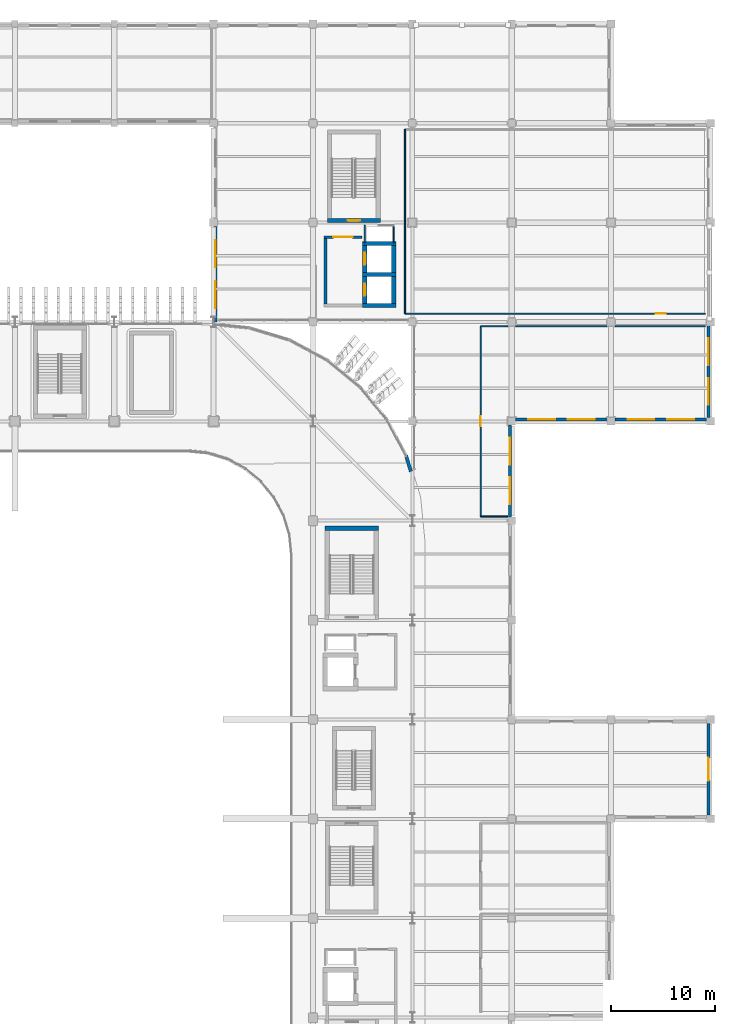
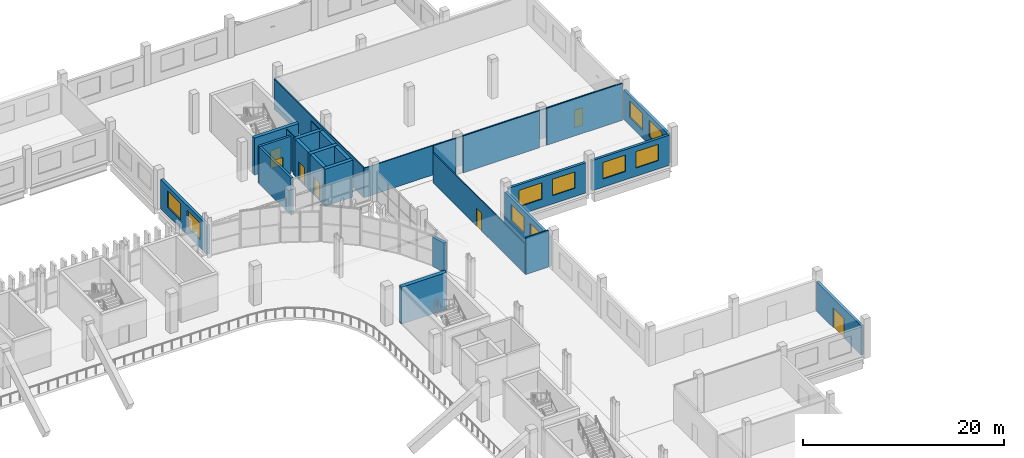
# One storey, part 57 of 100: 27 walls, 10 windows, 7 doors, 17 openings.
"""IFC4 building model written with IfcOpenShell, lengths in metres."""

from ifc_helpers import new_model, si_unit, direction, frame, frame_2d, origin, place, context, subcontext, project, spatial, rectangle, extrude, material, layer, layer_set, type_object, element, fill, save


model = new_model("IFC4")

# Units and contexts
model_context = context("Model", 3, precision=1e-05, world=origin(), true_north=direction((0.0, 1.0)))
body_context = subcontext(model_context, "Body", "Model", "MODEL_VIEW")
ifc_project = project(units=[si_unit("LENGTHUNIT", "METRE"), si_unit("AREAUNIT", "SQUARE_METRE"), si_unit("VOLUMEUNIT", "CUBIC_METRE"), si_unit("PLANEANGLEUNIT", "RADIAN"), si_unit("MASSUNIT", "GRAM", prefix="KILO")], contexts=[model_context])

# Site, building, storey
site_placement = place(None, origin())
site = spatial("IfcSite", under=ifc_project, at=site_placement, CompositionType="ELEMENT")
building_placement = place(site_placement, origin())
building = spatial("IfcBuilding", under=site, at=building_placement, Name="Caelomonte Colonnade Arena", CompositionType="ELEMENT")
storey_placement = place(building_placement, origin())
storey = spatial("IfcBuildingStorey", under=building, at=storey_placement, Name="L00", CompositionType="ELEMENT", Elevation=0.0)

# Wall, opening, door
ifc_material_1 = material(Name="Precast concrete C40/50", Category="concrete")
ifc_layer_1 = layer(ifc_material_1, 0.2900390625)
ifc_layer_set_1 = layer_set([ifc_layer_1], Name="Precast concrete C40/50")
wall_type_1 = type_object("IfcWallType", Name="ENV-WL-EXT29", PredefinedType="SOLIDWALL", material=ifc_layer_set_1)
wall_1_placement = place(storey_placement, frame((191.820068359375, 67.554931640625, 0.0), z_axis=(0.0, 0.0, 1.0), x_axis=(0.0, 1.0, 0.0)))
wall_1 = element("IfcWall", 1, at=wall_1_placement, inside=storey, type_object=wall_type_1, Name="L00 exterior wall EW-L00-0140", PredefinedType="SOLIDWALL", context=body_context, shape_type="SweptSolid", body=[
    extrude(rectangle(XDim=8.89013671875, YDim=0.2900390625, at=frame_2d((4.445068359375, 0.0))), origin(), (0.0, 0.0, 1.0), 3.572998046875),
])
opening_1_placement = place(wall_1_placement, frame((5.544921875, 0.0, 0.0), z_axis=(0.0, 0.0, 1.0), x_axis=(-1.0, 0.0, 0.0)))
opening_1 = element("IfcOpeningElement", 2, at=opening_1_placement, cuts=wall_1, Name="Opening G18", PredefinedType="OPENING", context=body_context, shape_type="SweptSolid", body=[
    extrude(rectangle(XDim=2.199951171875, YDim=2.39990234375, at=frame_2d((1.10009765625, 1.199951171875))), frame((0.0, 0.155029296875, 0.0), z_axis=(0.0, -1.0, 0.0), x_axis=(1.0, 0.0, 0.0)), (0.0, 0.0, 1.0), 0.31005859375),
])
ifc_material_2 = material(Name="Painted galvanized hollow metal")
door_type_1 = type_object("IfcDoorType", Name="ENV-DR-G2", OperationType="DOUBLE_DOOR_SINGLE_SWING", PredefinedType="DOOR", material=ifc_material_2)
door_1_placement = place(opening_1_placement, origin())
door_1 = element("IfcDoor", 3, at=door_1_placement, inside=storey, type_object=door_type_1, Name="Pedestrian exit gate G18", OperationType="DOUBLE_DOOR_SINGLE_SWING", OverallHeight=2.39990234375, OverallWidth=2.199951171875, PredefinedType="DOOR", context=body_context, shape_type="SweptSolid", body=[
    extrude(rectangle(XDim=2.199951171875, YDim=2.39990234375, at=frame_2d((1.10009765625, 1.199951171875))), frame((0.0, 0.02490234375, 0.0), z_axis=(0.0, -1.0, 0.0), x_axis=(1.0, 0.0, 0.0)), (0.0, 0.0, 1.0), 0.050048828125),
])
fill(opening_1, door_1)

# Wall, openings, windows
wall_2_placement = place(storey_placement, frame((172.6201171875, 96.35498046875, 0.0), z_axis=(0.0, 0.0, 1.0), x_axis=(0.0, 1.0, 0.0)))
wall_2 = element("IfcWall", 4, at=wall_2_placement, inside=storey, type_object=wall_type_1, Name="L00 exterior wall EW-L00-0145", PredefinedType="SOLIDWALL", context=body_context, shape_type="SweptSolid", body=[
    extrude(rectangle(XDim=8.89013671875, YDim=0.2900390625, at=frame_2d((4.445068359375, 0.0))), origin(), (0.0, 0.0, 1.0), 3.699951171875),
])
opening_2_placement = place(wall_2_placement, frame((3.830078125, 0.0, 1.0), z_axis=(0.0, 0.0, 1.0), x_axis=(-1.0, 0.0, 0.0)))
opening_2 = element("IfcOpeningElement", 5, at=opening_2_placement, cuts=wall_2, Name="Opening WN-10", PredefinedType="OPENING", context=body_context, shape_type="SweptSolid", body=[
    extrude(rectangle(XDim=2.60009765625, YDim=2.0, at=frame_2d((1.300048828125, 1.0))), frame((0.0, 0.155029296875, 0.0), z_axis=(0.0, -1.0, 0.0), x_axis=(1.0, 0.0, 0.0)), (0.0, 0.0, 1.0), 0.31005859375),
])
opening_3_placement = place(wall_2_placement, frame((7.66015625, 0.0, 1.0), z_axis=(0.0, 0.0, 1.0), x_axis=(-1.0, 0.0, 0.0)))
opening_3 = element("IfcOpeningElement", 6, at=opening_3_placement, cuts=wall_2, Name="Opening WN-10", PredefinedType="OPENING", context=body_context, shape_type="SweptSolid", body=[
    extrude(rectangle(XDim=2.60009765625, YDim=2.0, at=frame_2d((1.300048828125, 1.0))), frame((0.0, 0.155029296875, 0.0), z_axis=(0.0, -1.0, 0.0), x_axis=(1.0, 0.0, 0.0)), (0.0, 0.0, 1.0), 0.31005859375),
])
ifc_material_3 = material(Name="Solar-control bronze low-E double glazing", Category="glass")
window_type = type_object("IfcWindowType", Name="ENV-WN-V4G", PartitioningType="TRIPLE_PANEL_VERTICAL", PredefinedType="WINDOW", material=ifc_material_3)
window_1_placement = place(opening_2_placement, origin())
window_1 = element("IfcWindow", 7, at=window_1_placement, inside=storey, type_object=window_type, Name="L00 facade window 13", OverallHeight=2.0, OverallWidth=2.60009765625, PartitioningType="SINGLE_PANEL", PredefinedType="WINDOW", context=body_context, shape_type="SweptSolid", body=[
    extrude(rectangle(XDim=2.60009765625, YDim=2.0, at=frame_2d((1.300048828125, 1.0))), frame((0.0, 0.030029296875, 0.0), z_axis=(0.0, -1.0, 0.0), x_axis=(1.0, 0.0, 0.0)), (0.0, 0.0, 1.0), 0.06005859375),
])
fill(opening_2, window_1)
window_2_placement = place(opening_3_placement, origin())
window_2 = element("IfcWindow", 8, at=window_2_placement, inside=storey, type_object=window_type, Name="L00 facade window 14", OverallHeight=2.0, OverallWidth=2.60009765625, PartitioningType="SINGLE_PANEL", PredefinedType="WINDOW", context=body_context, shape_type="SweptSolid", body=[
    extrude(rectangle(XDim=2.60009765625, YDim=2.0, at=frame_2d((1.300048828125, 1.0))), frame((0.0, 0.030029296875, 0.0), z_axis=(0.0, -1.0, 0.0), x_axis=(1.0, 0.0, 0.0)), (0.0, 0.0, 1.0), 0.06005859375),
])
fill(opening_3, window_2)

wall_3_placement = place(storey_placement, frame((173.155029296875, 105.780029296875, 0.0), z_axis=(0.0, 0.0, 1.0), x_axis=(1.0, 0.0, 0.0)))
wall_3 = element("IfcWall", 9, at=wall_3_placement, inside=storey, type_object=wall_type_1, Name="L00 exterior wall EW-L00-0146", PredefinedType="SOLIDWALL", context=body_context, shape_type="SweptSolid", body=[
    extrude(rectangle(XDim=8.889892578125, YDim=0.2900390625, at=frame_2d((4.44482421875, 0.0))), origin(), (0.0, 0.0, 1.0), 3.664306640625),
])
opening_4_placement = place(wall_3_placement, frame((3.830078125, 0.0, 1.0), z_axis=(0.0, 0.0, 1.0), x_axis=(-1.0, 0.0, 0.0)))
opening_4 = element("IfcOpeningElement", 10, at=opening_4_placement, cuts=wall_3, Name="Opening WN-10", PredefinedType="OPENING", context=body_context, shape_type="SweptSolid", body=[
    extrude(rectangle(XDim=2.60009765625, YDim=2.0, at=frame_2d((1.300048828125, 1.0))), frame((0.0, 0.155029296875, 0.0), z_axis=(0.0, -1.0, 0.0), x_axis=(1.0, 0.0, 0.0)), (0.0, 0.0, 1.0), 0.31005859375),
])
opening_5_placement = place(wall_3_placement, frame((7.66015625, 0.0, 1.0), z_axis=(0.0, 0.0, 1.0), x_axis=(-1.0, 0.0, 0.0)))
opening_5 = element("IfcOpeningElement", 11, at=opening_5_placement, cuts=wall_3, Name="Opening WN-10", PredefinedType="OPENING", context=body_context, shape_type="SweptSolid", body=[
    extrude(rectangle(XDim=2.60009765625, YDim=2.0, at=frame_2d((1.300048828125, 1.0))), frame((0.0, 0.155029296875, 0.0), z_axis=(0.0, -1.0, 0.0), x_axis=(1.0, 0.0, 0.0)), (0.0, 0.0, 1.0), 0.31005859375),
])
window_3_placement = place(opening_4_placement, origin())
window_3 = element("IfcWindow", 12, at=window_3_placement, inside=storey, type_object=window_type, Name="L00 facade window 15", OverallHeight=2.0, OverallWidth=2.60009765625, PartitioningType="SINGLE_PANEL", PredefinedType="WINDOW", context=body_context, shape_type="SweptSolid", body=[
    extrude(rectangle(XDim=2.60009765625, YDim=2.0, at=frame_2d((1.300048828125, 1.0))), frame((0.0, 0.030029296875, 0.0), z_axis=(0.0, -1.0, 0.0), x_axis=(1.0, 0.0, 0.0)), (0.0, 0.0, 1.0), 0.06005859375),
])
fill(opening_4, window_3)
window_4_placement = place(opening_5_placement, origin())
window_4 = element("IfcWindow", 13, at=window_4_placement, inside=storey, type_object=window_type, Name="L00 facade window 16", OverallHeight=2.0, OverallWidth=2.60009765625, PartitioningType="SINGLE_PANEL", PredefinedType="WINDOW", context=body_context, shape_type="SweptSolid", body=[
    extrude(rectangle(XDim=2.60009765625, YDim=2.0, at=frame_2d((1.300048828125, 1.0))), frame((0.0, 0.030029296875, 0.0), z_axis=(0.0, -1.0, 0.0), x_axis=(1.0, 0.0, 0.0)), (0.0, 0.0, 1.0), 0.06005859375),
])
fill(opening_5, window_4)

wall_4_placement = place(storey_placement, frame((182.7548828125, 105.780029296875, 0.0), z_axis=(0.0, 0.0, 1.0), x_axis=(1.0, 0.0, 0.0)))
wall_4 = element("IfcWall", 14, at=wall_4_placement, inside=storey, type_object=wall_type_1, Name="L00 exterior wall EW-L00-0147", PredefinedType="SOLIDWALL", context=body_context, shape_type="SweptSolid", body=[
    extrude(rectangle(XDim=8.89013671875, YDim=0.2900390625, at=frame_2d((4.445068359375, 0.0))), origin(), (0.0, 0.0, 1.0), 3.664306640625),
])
opening_6_placement = place(wall_4_placement, frame((3.830078125, 0.0, 1.0), z_axis=(0.0, 0.0, 1.0), x_axis=(-1.0, 0.0, 0.0)))
opening_6 = element("IfcOpeningElement", 15, at=opening_6_placement, cuts=wall_4, Name="Opening WN-10", PredefinedType="OPENING", context=body_context, shape_type="SweptSolid", body=[
    extrude(rectangle(XDim=2.60009765625, YDim=2.0, at=frame_2d((1.300048828125, 1.0))), frame((0.0, 0.155029296875, 0.0), z_axis=(0.0, -1.0, 0.0), x_axis=(1.0, 0.0, 0.0)), (0.0, 0.0, 1.0), 0.31005859375),
])
opening_7_placement = place(wall_4_placement, frame((7.66015625, 0.0, 1.0), z_axis=(0.0, 0.0, 1.0), x_axis=(-1.0, 0.0, 0.0)))
opening_7 = element("IfcOpeningElement", 16, at=opening_7_placement, cuts=wall_4, Name="Opening WN-10", PredefinedType="OPENING", context=body_context, shape_type="SweptSolid", body=[
    extrude(rectangle(XDim=2.60009765625, YDim=2.0, at=frame_2d((1.300048828125, 1.0))), frame((0.0, 0.155029296875, 0.0), z_axis=(0.0, -1.0, 0.0), x_axis=(1.0, 0.0, 0.0)), (0.0, 0.0, 1.0), 0.31005859375),
])
window_5_placement = place(opening_6_placement, origin())
window_5 = element("IfcWindow", 17, at=window_5_placement, inside=storey, type_object=window_type, Name="L00 facade window 17", OverallHeight=2.0, OverallWidth=2.60009765625, PartitioningType="SINGLE_PANEL", PredefinedType="WINDOW", context=body_context, shape_type="SweptSolid", body=[
    extrude(rectangle(XDim=2.60009765625, YDim=2.0, at=frame_2d((1.300048828125, 1.0))), frame((0.0, 0.030029296875, 0.0), z_axis=(0.0, -1.0, 0.0), x_axis=(1.0, 0.0, 0.0)), (0.0, 0.0, 1.0), 0.06005859375),
])
fill(opening_6, window_5)
window_6_placement = place(opening_7_placement, origin())
window_6 = element("IfcWindow", 18, at=window_6_placement, inside=storey, type_object=window_type, Name="L00 facade window 18", OverallHeight=2.0, OverallWidth=2.60009765625, PartitioningType="SINGLE_PANEL", PredefinedType="WINDOW", context=body_context, shape_type="SweptSolid", body=[
    extrude(rectangle(XDim=2.60009765625, YDim=2.0, at=frame_2d((1.300048828125, 1.0))), frame((0.0, 0.030029296875, 0.0), z_axis=(0.0, -1.0, 0.0), x_axis=(1.0, 0.0, 0.0)), (0.0, 0.0, 1.0), 0.06005859375),
])
fill(opening_7, window_6)

wall_5_placement = place(storey_placement, frame((191.820068359375, 105.955078125, 0.0), z_axis=(0.0, 0.0, 1.0), x_axis=(0.0, 1.0, 0.0)))
wall_5 = element("IfcWall", 19, at=wall_5_placement, inside=storey, type_object=wall_type_1, Name="L00 exterior wall EW-L00-0148", PredefinedType="SOLIDWALL", context=body_context, shape_type="SweptSolid", body=[
    extrude(rectangle(XDim=8.889892578125, YDim=0.2900390625, at=frame_2d((4.44482421875, 0.0))), origin(), (0.0, 0.0, 1.0), 3.572998046875),
])
opening_8_placement = place(wall_5_placement, frame((3.830078125, 0.0, 1.0), z_axis=(0.0, 0.0, 1.0), x_axis=(-1.0, 0.0, 0.0)))
opening_8 = element("IfcOpeningElement", 20, at=opening_8_placement, cuts=wall_5, Name="Opening WN-10", PredefinedType="OPENING", context=body_context, shape_type="SweptSolid", body=[
    extrude(rectangle(XDim=2.60009765625, YDim=2.0, at=frame_2d((1.300048828125, 1.0))), frame((0.0, 0.155029296875, 0.0), z_axis=(0.0, -1.0, 0.0), x_axis=(1.0, 0.0, 0.0)), (0.0, 0.0, 1.0), 0.31005859375),
])
opening_9_placement = place(wall_5_placement, frame((7.66015625, 0.0, 1.0), z_axis=(0.0, 0.0, 1.0), x_axis=(-1.0, 0.0, 0.0)))
opening_9 = element("IfcOpeningElement", 21, at=opening_9_placement, cuts=wall_5, Name="Opening WN-10", PredefinedType="OPENING", context=body_context, shape_type="SweptSolid", body=[
    extrude(rectangle(XDim=2.60009765625, YDim=2.0, at=frame_2d((1.300048828125, 1.0))), frame((0.0, 0.155029296875, 0.0), z_axis=(0.0, -1.0, 0.0), x_axis=(1.0, 0.0, 0.0)), (0.0, 0.0, 1.0), 0.31005859375),
])
window_7_placement = place(opening_8_placement, origin())
window_7 = element("IfcWindow", 22, at=window_7_placement, inside=storey, type_object=window_type, Name="L00 facade window 19", OverallHeight=2.0, OverallWidth=2.60009765625, PartitioningType="SINGLE_PANEL", PredefinedType="WINDOW", context=body_context, shape_type="SweptSolid", body=[
    extrude(rectangle(XDim=2.60009765625, YDim=2.0, at=frame_2d((1.300048828125, 1.0))), frame((0.0, 0.030029296875, 0.0), z_axis=(0.0, -1.0, 0.0), x_axis=(1.0, 0.0, 0.0)), (0.0, 0.0, 1.0), 0.06005859375),
])
fill(opening_8, window_7)
window_8_placement = place(opening_9_placement, origin())
window_8 = element("IfcWindow", 23, at=window_8_placement, inside=storey, type_object=window_type, Name="L00 facade window 20", OverallHeight=2.0, OverallWidth=2.60009765625, PartitioningType="SINGLE_PANEL", PredefinedType="WINDOW", context=body_context, shape_type="SweptSolid", body=[
    extrude(rectangle(XDim=2.60009765625, YDim=2.0, at=frame_2d((1.300048828125, 1.0))), frame((0.0, 0.030029296875, 0.0), z_axis=(0.0, -1.0, 0.0), x_axis=(1.0, 0.0, 0.0)), (0.0, 0.0, 1.0), 0.06005859375),
])
fill(opening_9, window_8)

ifc_layer_2 = layer(ifc_material_1, 0.330078125)
ifc_layer_set_2 = layer_set([ifc_layer_2], Name="Precast concrete C40/50")
wall_type_2 = type_object("IfcWallType", Name="ENV-WL-EXT33", PredefinedType="SOLIDWALL", material=ifc_layer_set_2)
wall_6_placement = place(storey_placement, frame((144.179931640625, 124.445068359375, 0.0), z_axis=(0.0, 0.0, 1.0), x_axis=(0.0, -1.0, 0.0)))
wall_6 = element("IfcWall", 24, at=wall_6_placement, inside=storey, type_object=wall_type_2, Name="L00 exterior wall EW-L00-0179", PredefinedType="SOLIDWALL", context=body_context, shape_type="SweptSolid", body=[
    extrude(rectangle(XDim=9.2451171875, YDim=0.330078125, at=frame_2d((4.62255859375, 0.0))), origin(), (0.0, 0.0, 1.0), 3.572998046875),
])
opening_10_placement = place(wall_6_placement, frame((3.948486328125, 0.0, 1.0), z_axis=(0.0, 0.0, 1.0), x_axis=(-1.0, 0.0, 0.0)))
opening_10 = element("IfcOpeningElement", 25, at=opening_10_placement, cuts=wall_6, Name="Opening WN-10", PredefinedType="OPENING", context=body_context, shape_type="SweptSolid", body=[
    extrude(rectangle(XDim=2.60009765625, YDim=2.0, at=frame_2d((1.300048828125, 1.0))), frame((0.0, 0.175048828125, 0.0), z_axis=(0.0, -1.0, 0.0), x_axis=(1.0, 0.0, 0.0)), (0.0, 0.0, 1.0), 0.35009765625),
])
opening_11_placement = place(wall_6_placement, frame((7.896728515625, 0.0, 1.0), z_axis=(0.0, 0.0, 1.0), x_axis=(-1.0, 0.0, 0.0)))
opening_11 = element("IfcOpeningElement", 26, at=opening_11_placement, cuts=wall_6, Name="Opening WN-10", PredefinedType="OPENING", context=body_context, shape_type="SweptSolid", body=[
    extrude(rectangle(XDim=2.60009765625, YDim=2.0, at=frame_2d((1.300048828125, 1.0))), frame((0.0, 0.175048828125, 0.0), z_axis=(0.0, -1.0, 0.0), x_axis=(1.0, 0.0, 0.0)), (0.0, 0.0, 1.0), 0.35009765625),
])
window_9_placement = place(opening_10_placement, origin())
window_9 = element("IfcWindow", 27, at=window_9_placement, inside=storey, type_object=window_type, Name="L00 facade window 65", OverallHeight=2.0, OverallWidth=2.60009765625, PartitioningType="SINGLE_PANEL", PredefinedType="WINDOW", context=body_context, shape_type="SweptSolid", body=[
    extrude(rectangle(XDim=2.60009765625, YDim=2.0, at=frame_2d((1.300048828125, 1.0))), frame((0.0, 0.030029296875, 0.0), z_axis=(0.0, -1.0, 0.0), x_axis=(1.0, 0.0, 0.0)), (0.0, 0.0, 1.0), 0.06005859375),
])
fill(opening_10, window_9)
window_10_placement = place(opening_11_placement, origin())
window_10 = element("IfcWindow", 28, at=window_10_placement, inside=storey, type_object=window_type, Name="L00 facade window 66", OverallHeight=2.0, OverallWidth=2.60009765625, PartitioningType="SINGLE_PANEL", PredefinedType="WINDOW", context=body_context, shape_type="SweptSolid", body=[
    extrude(rectangle(XDim=2.60009765625, YDim=2.0, at=frame_2d((1.300048828125, 1.0))), frame((0.0, 0.030029296875, 0.0), z_axis=(0.0, -1.0, 0.0), x_axis=(1.0, 0.0, 0.0)), (0.0, 0.0, 1.0), 0.06005859375),
])
fill(opening_11, window_10)

# Wall
wall_7_placement = place(storey_placement, frame((163.06201171875, 100.75732421875, 0.0), z_axis=(0.0, 0.0, 1.0), x_axis=(-0.290196653702, 0.956967032964, 0.0)))
element("IfcWall", 29, at=wall_7_placement, inside=storey, type_object=wall_type_2, Name="L00 exterior wall EW-L00-0180", PredefinedType="SOLIDWALL", context=body_context, shape_type="SweptSolid", body=[
    extrude(rectangle(XDim=1.611083984375, YDim=0.330078125, at=frame_2d((0.8056640625, 0.0))), origin(), (0.0, 0.0, 1.0), 3.572998046875),
])

# Wall, opening, door
ifc_material_4 = material(Name="Concrete C40/50", Category="concrete")
ifc_layer_3 = layer(ifc_material_4, 0.260009765625)
ifc_layer_set_3 = layer_set([ifc_layer_3], Name="Concrete C40/50")
wall_type_3 = type_object("IfcWallType", Name="INT-WL-FW26", PredefinedType="SOLIDWALL", material=ifc_layer_set_3)
wall_8_placement = place(storey_placement, frame((158.330078125, 123.39990234375, 0.0), z_axis=(0.0, 0.0, 1.0), x_axis=(-1.0, 0.0, 0.0)))
wall_8 = element("IfcWall", 30, at=wall_8_placement, inside=storey, type_object=wall_type_3, Name="FW-C6-LB L00 north enclosure wall", PredefinedType="SOLIDWALL", context=body_context, shape_type="SweptSolid", body=[
    extrude(rectangle(XDim=3.66015625, YDim=0.260009765625, at=frame_2d((1.830078125, 0.0))), origin(), (0.0, 0.0, 1.0), 4.5),
])
opening_12_placement = place(wall_8_placement, frame((2.755126953125, 0.0, 0.0), z_axis=(0.0, 0.0, 1.0), x_axis=(-1.0, 0.0, 0.0)))
opening_12 = element("IfcOpeningElement", 31, at=opening_12_placement, cuts=wall_8, Name="Opening FD-2", PredefinedType="OPENING", context=body_context, shape_type="SweptSolid", body=[
    extrude(rectangle(XDim=1.85009765625, YDim=2.25, at=frame_2d((0.925048828125, 1.125))), frame((0.0, 0.139892578125, 0.0), z_axis=(0.0, -1.0, 0.0), x_axis=(1.0, 0.0, 0.0)), (0.0, 0.0, 1.0), 0.280029296875),
])
ifc_material_5 = material(Name="Fire-rated double steel door", Category="steel")
door_type_2 = type_object("IfcDoorType", Name="INT-DR-FD90B", OperationType="DOUBLE_DOOR_SINGLE_SWING", PredefinedType="DOOR", material=ifc_material_5)
door_2_placement = place(opening_12_placement, origin())
door_2 = element("IfcDoor", 32, at=door_2_placement, inside=storey, type_object=door_type_2, Name="Core C6 L00 lobby fire door", OperationType="DOUBLE_DOOR_SINGLE_SWING", OverallHeight=2.25, OverallWidth=1.85009765625, PredefinedType="DOOR", context=body_context, shape_type="SweptSolid", body=[
    extrude(rectangle(XDim=1.85009765625, YDim=2.25, at=frame_2d((0.925048828125, 1.125))), frame((0.0, 0.02490234375, 0.0), z_axis=(0.0, -1.0, 0.0), x_axis=(1.0, 0.0, 0.0)), (0.0, 0.0, 1.0), 0.050048828125),
])
fill(opening_12, door_2)

# Walls
wall_9_placement = place(storey_placement, frame((154.800048828125, 123.27001953125, 0.0), z_axis=(0.0, 0.0, 1.0), x_axis=(0.0, -1.0, 0.0)))
element("IfcWall", 33, at=wall_9_placement, inside=storey, type_object=wall_type_3, Name="FW-C6-LB L00 west enclosure wall", PredefinedType="SOLIDWALL", context=body_context, shape_type="SweptSolid", body=[
    extrude(rectangle(XDim=6.340087890625, YDim=0.260009765625, at=frame_2d((3.169921875, 0.0))), origin(), (0.0, 0.0, 1.0), 4.5),
])
ifc_material_6 = material(Name="Service shaft lining partition")
ifc_layer_4 = layer(ifc_material_6, 0.10009765625)
ifc_layer_set_4 = layer_set([ifc_layer_4], Name="Service shaft lining partition")
wall_type_4 = type_object("IfcWallType", Name="INT-WL-PT10", PredefinedType="PARTITIONING", material=ifc_layer_set_4)
for number, where, z_axis, x_axis, name in (
    (34, (158.60009765625, 124.550048828125, 0.0), (0.0, 0.0, 1.0), (0.0, -1.0, 0.0), "FW-C6-RS L00 west enclosure wall"),
    (35, (161.39990234375, 122.85009765625, 0.0), (0.0, 0.0, 1.0), (0.0, 1.0, 0.0), "FW-C6-RS L00 east enclosure wall"),
):
    element("IfcWall", number, at=place(storey_placement, frame(where, z_axis=z_axis, x_axis=x_axis)), inside=storey, type_object=wall_type_4, Name=name, PredefinedType="PARTITIONING", context=body_context, shape_type="SweptSolid", body=[
        extrude(rectangle(XDim=1.699951171875, YDim=0.10009765625, at=frame_2d((0.85009765625, 0.0))), origin(), (0.0, 0.0, 1.0), 4.5),
    ])
ifc_material_7 = material(Name="Office gypsum stud partition")
ifc_layer_5 = layer(ifc_material_7, 0.1201171875)
ifc_layer_set_5 = layer_set([ifc_layer_5], Name="Office gypsum stud partition")
wall_type_5 = type_object("IfcWallType", Name="INT-WL-PT12", PredefinedType="PARTITIONING", material=ifc_layer_set_5)
wall_10_placement = place(storey_placement, frame((172.392578125, 96.39990234375, 0.0), z_axis=(0.0, 0.0, 1.0), x_axis=(-1.0, 0.0, 0.0)))
element("IfcWall", 36, at=wall_10_placement, inside=storey, type_object=wall_type_5, Name="L00 Concourse Beverage Kiosk partition 79", PredefinedType="PARTITIONING", context=body_context, shape_type="SweptSolid", body=[
    extrude(rectangle(XDim=2.592529296875, YDim=0.1201171875, at=frame_2d((1.29638671875, 0.0))), origin(), (0.0, 0.0, 1.0), 4.5),
])

# Wall, opening, door
wall_11_placement = place(storey_placement, frame((169.800048828125, 96.39990234375, 0.0), z_axis=(0.0, 0.0, 1.0), x_axis=(0.0, 1.0, 0.0)))
wall_11 = element("IfcWall", 37, at=wall_11_placement, inside=storey, type_object=wall_type_5, Name="L00 Concourse Beverage Kiosk partition 80", PredefinedType="PARTITIONING", context=body_context, shape_type="SweptSolid", body=[
    extrude(rectangle(XDim=18.400146484375, YDim=0.1201171875, at=frame_2d((9.2001953125, 0.0))), origin(), (0.0, 0.0, 1.0), 3.664306640625),
])
opening_13_placement = place(wall_11_placement, frame((8.72509765625, 0.0, 0.0), z_axis=(0.0, 0.0, 1.0), x_axis=(1.0, 0.0, 0.0)))
opening_13 = element("IfcOpeningElement", 38, at=opening_13_placement, cuts=wall_11, Name="Opening D-L00-025", PredefinedType="OPENING", context=body_context, shape_type="SweptSolid", body=[
    extrude(rectangle(XDim=0.949951171875, YDim=2.14990234375, at=frame_2d((0.47509765625, 1.074951171875))), frame((0.0, 0.070068359375, 0.0), z_axis=(0.0, -1.0, 0.0), x_axis=(1.0, 0.0, 0.0)), (0.0, 0.0, 1.0), 0.14013671875),
])
ifc_material_8 = material(Name="Solid-core timber office door", Category="wood")
door_type_3 = type_object("IfcDoorType", Name="INT-DR-OFF", OperationType="NOTDEFINED", PredefinedType="DOOR", material=ifc_material_8)
door_3_placement = place(opening_13_placement, origin())
door_3 = element("IfcDoor", 39, at=door_3_placement, inside=storey, type_object=door_type_3, Name="L00 Concourse Beverage Kiosk door D-L00-025", OperationType="SINGLE_SWING_RIGHT", OverallHeight=2.14990234375, OverallWidth=0.949951171875, PredefinedType="DOOR", context=body_context, shape_type="SweptSolid", body=[
    extrude(rectangle(XDim=0.949951171875, YDim=2.14990234375, at=frame_2d((0.47509765625, 1.074951171875))), frame((0.0, 0.02490234375, 0.0), z_axis=(0.0, -1.0, 0.0), x_axis=(1.0, 0.0, 0.0)), (0.0, 0.0, 1.0), 0.050048828125),
])
fill(opening_13, door_3)

# Walls
wall_12_placement = place(storey_placement, frame((169.800048828125, 114.800048828125, 0.0), z_axis=(0.0, 0.0, 1.0), x_axis=(1.0, 0.0, 0.0)))
element("IfcWall", 40, at=wall_12_placement, inside=storey, type_object=wall_type_5, Name="L00 Concourse Beverage Kiosk partition 81", PredefinedType="PARTITIONING", context=body_context, shape_type="SweptSolid", body=[
    extrude(rectangle(XDim=2.592529296875, YDim=0.1201171875, at=frame_2d((1.29638671875, 0.0))), origin(), (0.0, 0.0, 1.0), 4.5),
])
wall_13_placement = place(storey_placement, frame((173.207275390625, 114.800048828125, 0.0), z_axis=(0.0, 0.0, 1.0), x_axis=(1.0, 0.0, 0.0)))
element("IfcWall", 41, at=wall_13_placement, inside=storey, type_object=wall_type_5, Name="L00 Concourse Beverage Kiosk partition 82", PredefinedType="PARTITIONING", context=body_context, shape_type="SweptSolid", body=[
    extrude(rectangle(XDim=8.785400390625, YDim=0.1201171875, at=frame_2d((4.392578125, 0.0))), origin(), (0.0, 0.0, 1.0), 4.5),
])
wall_14_placement = place(storey_placement, frame((182.807373046875, 114.800048828125, 0.0), z_axis=(0.0, 0.0, 1.0), x_axis=(1.0, 0.0, 0.0)))
element("IfcWall", 42, at=wall_14_placement, inside=storey, type_object=wall_type_5, Name="L00 Concourse Beverage Kiosk partition 83", PredefinedType="PARTITIONING", context=body_context, shape_type="SweptSolid", body=[
    extrude(rectangle(XDim=8.692626953125, YDim=0.1201171875, at=frame_2d((4.34619140625, 0.0))), origin(), (0.0, 0.0, 1.0), 4.5),
])

# Wall, opening, door
wall_15_placement = place(storey_placement, frame((191.5, 116.0, 0.0), z_axis=(0.0, 0.0, 1.0), x_axis=(-1.0, 0.0, 0.0)))
wall_15 = element("IfcWall", 43, at=wall_15_placement, inside=storey, type_object=wall_type_5, Name="L00 Arena Operations Office partition 103", PredefinedType="PARTITIONING", context=body_context, shape_type="SweptSolid", body=[
    extrude(rectangle(XDim=29.0, YDim=0.1201171875, at=frame_2d((14.5, 0.0))), origin(), (0.0, 0.0, 1.0), 3.572998046875),
])
opening_14_placement = place(wall_15_placement, frame((3.824951171875, 0.0, 0.0), z_axis=(0.0, 0.0, 1.0), x_axis=(1.0, 0.0, 0.0)))
opening_14 = element("IfcOpeningElement", 44, at=opening_14_placement, cuts=wall_15, Name="Opening D-L00-033", PredefinedType="OPENING", context=body_context, shape_type="SweptSolid", body=[
    extrude(rectangle(XDim=0.949951171875, YDim=2.14990234375, at=frame_2d((0.47509765625, 1.074951171875))), frame((0.0, 0.070068359375, 0.0), z_axis=(0.0, -1.0, 0.0), x_axis=(1.0, 0.0, 0.0)), (0.0, 0.0, 1.0), 0.14013671875),
])
door_4_placement = place(opening_14_placement, origin())
door_4 = element("IfcDoor", 45, at=door_4_placement, inside=storey, type_object=door_type_3, Name="L00 Arena Operations Office door D-L00-033", OperationType="SINGLE_SWING_RIGHT", OverallHeight=2.14990234375, OverallWidth=0.949951171875, PredefinedType="DOOR", context=body_context, shape_type="SweptSolid", body=[
    extrude(rectangle(XDim=0.949951171875, YDim=2.14990234375, at=frame_2d((0.47509765625, 1.074951171875))), frame((0.0, 0.02490234375, 0.0), z_axis=(0.0, -1.0, 0.0), x_axis=(1.0, 0.0, 0.0)), (0.0, 0.0, 1.0), 0.050048828125),
])
fill(opening_14, door_4)

# Wall
wall_16_placement = place(storey_placement, frame((162.5, 116.0, 0.0), z_axis=(0.0, 0.0, 1.0), x_axis=(0.0, 1.0, 0.0)))
element("IfcWall", 46, at=wall_16_placement, inside=storey, type_object=wall_type_5, Name="L00 Arena Operations Office partition 104", PredefinedType="PARTITIONING", context=body_context, shape_type="SweptSolid", body=[
    extrude(rectangle(XDim=17.800048828125, YDim=0.1201171875, at=frame_2d((8.89990234375, 0.0))), origin(), (0.0, 0.0, 1.0), 3.664306640625),
])

# Wall, opening, door
ifc_material_9 = material(Name="Concrete C50/60", Category="concrete")
ifc_layer_6 = layer(ifc_material_9, 0.39990234375)
ifc_layer_set_6 = layer_set([ifc_layer_6], Name="Concrete C50/60")
wall_type_6 = type_object("IfcWallType", Name="INT-WL-SH40", PredefinedType="SHEAR", material=ifc_layer_set_6)
wall_17_placement = place(storey_placement, frame((155.0, 125.0, 0.0), z_axis=(0.0, 0.0, 1.0), x_axis=(1.0, 0.0, 0.0)))
wall_17 = element("IfcWall", 47, at=wall_17_placement, inside=storey, type_object=wall_type_6, Name="CW-C6-ST L00 south enclosure wall", PredefinedType="SHEAR", context=body_context, shape_type="SweptSolid", body=[
    extrude(rectangle(XDim=5.10009765625, YDim=0.39990234375, at=frame_2d((2.550048828125, 0.0))), origin(), (0.0, 0.0, 1.0), 4.5),
])
opening_15_placement = place(wall_17_placement, frame((3.14990234375, 0.0, 0.0), z_axis=(0.0, 0.0, 1.0), x_axis=(-1.0, 0.0, 0.0)))
opening_15 = element("IfcOpeningElement", 48, at=opening_15_placement, cuts=wall_17, Name="Opening FD-1", PredefinedType="OPENING", context=body_context, shape_type="SweptSolid", body=[
    extrude(rectangle(XDim=1.199951171875, YDim=2.199951171875, at=frame_2d((0.60009765625, 1.10009765625))), frame((0.0, 0.2099609375, 0.0), z_axis=(0.0, -1.0, 0.0), x_axis=(1.0, 0.0, 0.0)), (0.0, 0.0, 1.0), 0.419921875),
])
ifc_material_10 = material(Name="Fire-rated steel door", Category="steel")
door_type_4 = type_object("IfcDoorType", Name="INT-DR-FD90A", OperationType="NOTDEFINED", PredefinedType="DOOR", material=ifc_material_10)
door_5_placement = place(opening_15_placement, origin())
door_5 = element("IfcDoor", 49, at=door_5_placement, inside=storey, type_object=door_type_4, Name="Core C6 L00 exit stair fire door", OperationType="SINGLE_SWING_LEFT", OverallHeight=2.199951171875, OverallWidth=1.199951171875, PredefinedType="DOOR", context=body_context, shape_type="SweptSolid", body=[
    extrude(rectangle(XDim=1.199951171875, YDim=2.199951171875, at=frame_2d((0.60009765625, 1.10009765625))), frame((0.0, 0.02490234375, 0.0), z_axis=(0.0, -1.0, 0.0), x_axis=(1.0, 0.0, 0.0)), (0.0, 0.0, 1.0), 0.050048828125),
])
fill(opening_15, door_5)

# Walls
for number, where, z_axis, x_axis, name in (
    (50, (158.39990234375, 116.800048828125, 0.0), (0.0, 0.0, 1.0), (1.0, 0.0, 0.0), "CW-C6-LF L00 south enclosure wall"),
    (51, (161.60009765625, 119.800048828125, 0.0), (0.0, 0.0, 1.0), (-1.0, 0.0, 0.0), "CW-C6-LF L00 north enclosure wall"),
):
    element("IfcWall", number, at=place(storey_placement, frame(where, z_axis=z_axis, x_axis=x_axis)), inside=storey, type_object=wall_type_6, Name=name, PredefinedType="SHEAR", context=body_context, shape_type="SweptSolid", body=[
        extrude(rectangle(XDim=3.2001953125, YDim=0.39990234375, at=frame_2d((1.60009765625, 0.0))), origin(), (0.0, 0.0, 1.0), 4.5),
    ])

# Wall, opening, door
wall_18_placement = place(storey_placement, frame((158.60009765625, 119.60009765625, 0.0), z_axis=(0.0, 0.0, 1.0), x_axis=(0.0, -1.0, 0.0)))
wall_18 = element("IfcWall", 52, at=wall_18_placement, inside=storey, type_object=wall_type_6, Name="CW-C6-LF L00 west enclosure wall", PredefinedType="SHEAR", context=body_context, shape_type="SweptSolid", body=[
    extrude(rectangle(XDim=2.60009765625, YDim=0.39990234375, at=frame_2d((1.300048828125, 0.0))), origin(), (0.0, 0.0, 1.0), 4.5),
])
opening_16_placement = place(wall_18_placement, frame((0.72509765625, 0.0, 0.0), z_axis=(0.0, 0.0, 1.0), x_axis=(1.0, 0.0, 0.0)))
opening_16 = element("IfcOpeningElement", 53, at=opening_16_placement, cuts=wall_18, Name="Opening LD-LF-03-L00", PredefinedType="OPENING", context=body_context, shape_type="SweptSolid", body=[
    extrude(rectangle(XDim=1.14990234375, YDim=2.199951171875, at=frame_2d((0.574951171875, 1.10009765625))), frame((0.0, 0.2099609375, 0.0), z_axis=(0.0, -1.0, 0.0), x_axis=(1.0, 0.0, 0.0)), (0.0, 0.0, 1.0), 0.419921875),
])
ifc_material_11 = material(Name="Stainless steel lift landing door", Category="steel")
door_type_5 = type_object("IfcDoorType", Name="INT-DR-LD1", OperationType="SLIDING_TO_LEFT", PredefinedType="DOOR", material=ifc_material_11)
door_6_placement = place(opening_16_placement, origin())
door_6 = element("IfcDoor", 54, at=door_6_placement, inside=storey, type_object=door_type_5, Name="Lift LF-03 L00 sliding landing door", OperationType="SLIDING_TO_LEFT", OverallHeight=2.199951171875, OverallWidth=1.14990234375, PredefinedType="DOOR", context=body_context, shape_type="SweptSolid", body=[
    extrude(rectangle(XDim=1.14990234375, YDim=2.199951171875, at=frame_2d((0.574951171875, 1.10009765625))), frame((0.0, 0.02490234375, 0.0), z_axis=(0.0, -1.0, 0.0), x_axis=(1.0, 0.0, 0.0)), (0.0, 0.0, 1.0), 0.050048828125),
])
fill(opening_16, door_6)

# Walls
wall_19_placement = place(storey_placement, frame((161.39990234375, 117.0, 0.0), z_axis=(0.0, 0.0, 1.0), x_axis=(0.0, 1.0, 0.0)))
element("IfcWall", 55, at=wall_19_placement, inside=storey, type_object=wall_type_6, Name="CW-C6-LF L00 east enclosure wall", PredefinedType="SHEAR", context=body_context, shape_type="SweptSolid", body=[
    extrude(rectangle(XDim=2.60009765625, YDim=0.39990234375, at=frame_2d((1.300048828125, 0.0))), origin(), (0.0, 0.0, 1.0), 4.5),
])
wall_20_placement = place(storey_placement, frame((161.60009765625, 122.800048828125, 0.0), z_axis=(0.0, 0.0, 1.0), x_axis=(-1.0, 0.0, 0.0)))
element("IfcWall", 56, at=wall_20_placement, inside=storey, type_object=wall_type_6, Name="CW-C6-LF2 L00 north enclosure wall", PredefinedType="SHEAR", context=body_context, shape_type="SweptSolid", body=[
    extrude(rectangle(XDim=3.2001953125, YDim=0.39990234375, at=frame_2d((1.60009765625, 0.0))), origin(), (0.0, 0.0, 1.0), 4.5),
])

# Wall, opening, door
wall_21_placement = place(storey_placement, frame((158.60009765625, 122.60009765625, 0.0), z_axis=(0.0, 0.0, 1.0), x_axis=(0.0, -1.0, 0.0)))
wall_21 = element("IfcWall", 57, at=wall_21_placement, inside=storey, type_object=wall_type_6, Name="CW-C6-LF2 L00 west enclosure wall", PredefinedType="SHEAR", context=body_context, shape_type="SweptSolid", body=[
    extrude(rectangle(XDim=2.60009765625, YDim=0.39990234375, at=frame_2d((1.300048828125, 0.0))), origin(), (0.0, 0.0, 1.0), 4.5),
])
opening_17_placement = place(wall_21_placement, frame((0.72509765625, 0.0, 0.0), z_axis=(0.0, 0.0, 1.0), x_axis=(1.0, 0.0, 0.0)))
opening_17 = element("IfcOpeningElement", 58, at=opening_17_placement, cuts=wall_21, Name="Opening LD-LF-04-L00", PredefinedType="OPENING", context=body_context, shape_type="SweptSolid", body=[
    extrude(rectangle(XDim=1.14990234375, YDim=2.199951171875, at=frame_2d((0.574951171875, 1.10009765625))), frame((0.0, 0.2099609375, 0.0), z_axis=(0.0, -1.0, 0.0), x_axis=(1.0, 0.0, 0.0)), (0.0, 0.0, 1.0), 0.419921875),
])
door_7_placement = place(opening_17_placement, origin())
door_7 = element("IfcDoor", 59, at=door_7_placement, inside=storey, type_object=door_type_5, Name="Lift LF-04 L00 sliding landing door", OperationType="SLIDING_TO_LEFT", OverallHeight=2.199951171875, OverallWidth=1.14990234375, PredefinedType="DOOR", context=body_context, shape_type="SweptSolid", body=[
    extrude(rectangle(XDim=1.14990234375, YDim=2.199951171875, at=frame_2d((0.574951171875, 1.10009765625))), frame((0.0, 0.02490234375, 0.0), z_axis=(0.0, -1.0, 0.0), x_axis=(1.0, 0.0, 0.0)), (0.0, 0.0, 1.0), 0.050048828125),
])
fill(opening_17, door_7)

# Walls
wall_22_placement = place(storey_placement, frame((161.39990234375, 120.0, 0.0), z_axis=(0.0, 0.0, 1.0), x_axis=(0.0, 1.0, 0.0)))
element("IfcWall", 60, at=wall_22_placement, inside=storey, type_object=wall_type_6, Name="CW-C6-LF2 L00 east enclosure wall", PredefinedType="SHEAR", context=body_context, shape_type="SweptSolid", body=[
    extrude(rectangle(XDim=2.60009765625, YDim=0.39990234375, at=frame_2d((1.300048828125, 0.0))), origin(), (0.0, 0.0, 1.0), 4.5),
])
ifc_layer_7 = layer(ifc_material_9, 0.449951171875)
ifc_layer_set_7 = layer_set([ifc_layer_7], Name="Concrete C50/60")
wall_type_7 = type_object("IfcWallType", Name="INT-WL-SH45", PredefinedType="SHEAR", material=ifc_layer_set_7)
wall_23_placement = place(storey_placement, frame((159.949951171875, 95.27490234375, 0.0), z_axis=(0.0, 0.0, 1.0), x_axis=(-1.0, 0.0, 0.0)))
element("IfcWall", 61, at=wall_23_placement, inside=storey, type_object=wall_type_7, Name="CW-C3-ST L00 north enclosure wall", PredefinedType="SHEAR", context=body_context, shape_type="SweptSolid", body=[
    extrude(rectangle(XDim=5.199951171875, YDim=0.449951171875, at=frame_2d((2.60009765625, 0.0))), origin(), (0.0, 0.0, 1.0), 4.5),
])

save(model, "model.ifc")
